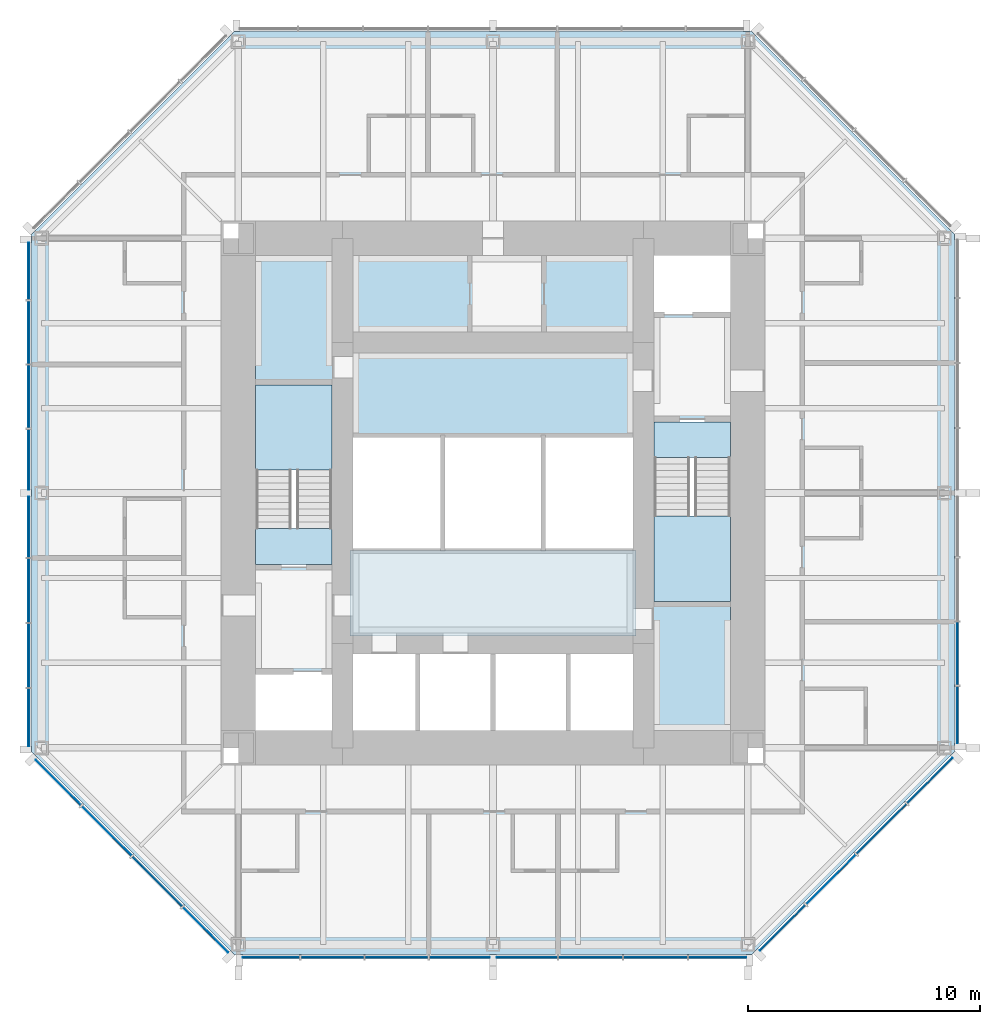
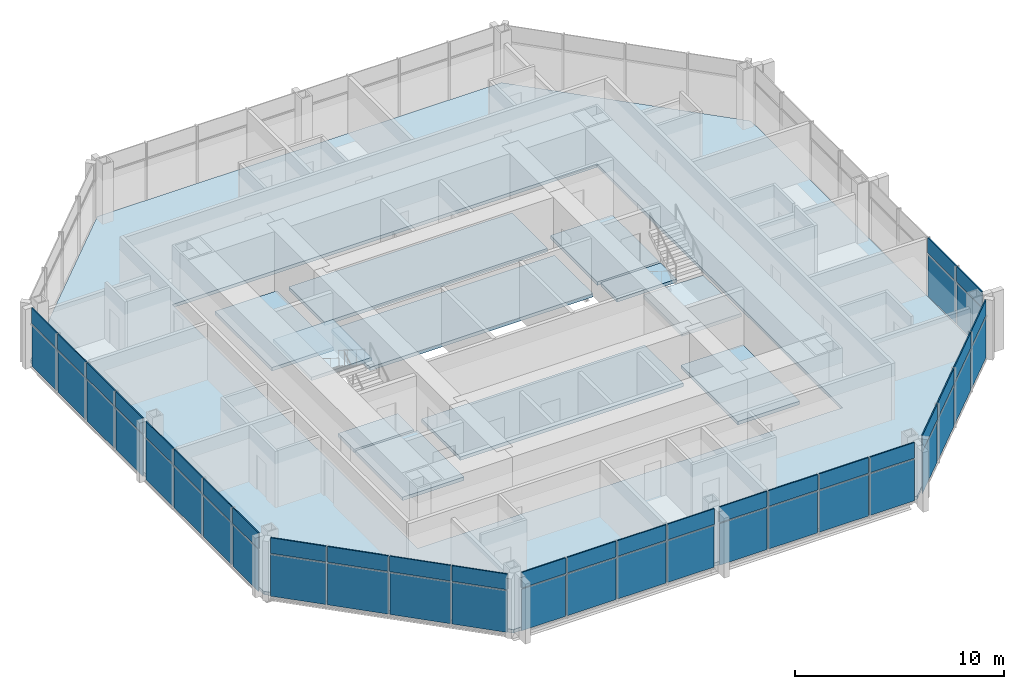
# One storey, part 6 of 11: 52 plates, 12 slabs, 7 elements without a shape of their own.
"""IFC4 building model written with IfcOpenShell, lengths in metres."""

from ifc_helpers import new_model, si_unit, direction, frame, origin, origin_2d, place, context, subcontext, project, spatial, polyline, rectangle, outline, extrude, material, layer, layer_set, type_object, element, aggregate, save


model = new_model("IFC4")

# Units and contexts
model_context = context("Model", 3, precision=1e-05, world=origin(), true_north=direction((0.0, 1.0)))
body_context = subcontext(model_context, "Body", "Model", "MODEL_VIEW")
ifc_project = project(units=[si_unit("LENGTHUNIT", "METRE"), si_unit("AREAUNIT", "SQUARE_METRE"), si_unit("VOLUMEUNIT", "CUBIC_METRE"), si_unit("PLANEANGLEUNIT", "RADIAN"), si_unit("MASSUNIT", "GRAM", prefix="KILO")], contexts=[model_context])

# Site, building, storey
site_placement = place(None, origin())
site = spatial("IfcSite", under=ifc_project, at=site_placement, CompositionType="ELEMENT")
building_placement = place(site_placement, origin())
building = spatial("IfcBuilding", under=site, at=building_placement, Name="Trevanion Tower", CompositionType="ELEMENT")
storey_placement = place(building_placement, frame((0.0, 0.0, 211.699951171875)))
storey = spatial("IfcBuildingStorey", under=building, at=storey_placement, Name="L50", CompositionType="ELEMENT", Elevation=211.699951171875)

# Curtain wall, plates
ifc_material_1 = material(Name="Aluminium and glass", Category="aluminium")
curtain_wall_type = type_object("IfcCurtainWallType", Name="CW3 curtain wall", PredefinedType="USERDEFINED", material=ifc_material_1)
curtain_wall_1_placement = place(storey_placement, origin())
curtain_wall_1 = element("IfcCurtainWall", 1, at=curtain_wall_1_placement, inside=storey, type_object=curtain_wall_type, Name="CW3 L50 0", ObjectType="UNITISED CURTAIN WALL", PredefinedType="USERDEFINED")
ifc_material_2 = material(Name="Aluminium spandrel panel", Category="aluminium")
ifc_layer_1 = layer(ifc_material_2, 0.06005859375)
ifc_layer_set_1 = layer_set([ifc_layer_1], Name="CW3 spandrel panel")
plate_type_1 = type_object("IfcPlateType", Name="CW3 spandrel panel", PredefinedType="CURTAIN_PANEL", material=ifc_layer_set_1)
plate_1_placement = place(storey_placement, frame((20.050048828125, -9.579345703125, 2.3974609375), z_axis=(0.0, 0.0, 1.0), x_axis=(0.0, 1.0, 0.0)))
plate_1 = element("IfcPlate", 2, at=plate_1_placement, type_object=plate_type_1, Name="CW3 panel 1.2", PredefinedType="CURTAIN_PANEL", context=body_context, shape_type="SweptSolid", body=[
    extrude(rectangle(XDim=2.43701171875, YDim=0.06005859375, at=origin_2d()), origin(), (0.0, 0.0, 1.0), 0.91259765625),
])
plate_2_placement = place(storey_placement, frame((20.050048828125, -6.93603515625, 2.3974609375), z_axis=(0.0, 0.0, 1.0), x_axis=(0.0, 1.0, 0.0)))
plate_2 = element("IfcPlate", 3, at=plate_2_placement, type_object=plate_type_1, Name="CW3 panel 2.2", PredefinedType="CURTAIN_PANEL", context=body_context, shape_type="SweptSolid", body=[
    extrude(rectangle(XDim=2.699462890625, YDim=0.06005859375, at=origin_2d()), origin(), (0.0, 0.0, 1.0), 0.91259765625),
])

curtain_wall_2_placement = place(storey_placement, origin())
curtain_wall_2 = element("IfcCurtainWall", 4, at=curtain_wall_2_placement, inside=storey, type_object=curtain_wall_type, Name="CW3 L50 4", ObjectType="UNITISED CURTAIN WALL", PredefinedType="USERDEFINED")
plate_3_placement = place(storey_placement, frame((-20.050048828125, 9.579345703125, 2.3974609375), z_axis=(0.0, 0.0, 1.0), x_axis=(0.0, -1.0, 0.0)))
plate_3 = element("IfcPlate", 5, at=plate_3_placement, type_object=plate_type_1, Name="CW3 panel 1.2", PredefinedType="CURTAIN_PANEL", context=body_context, shape_type="SweptSolid", body=[
    extrude(rectangle(XDim=2.43701171875, YDim=0.06005859375, at=origin_2d()), origin(), (0.0, 0.0, 1.0), 0.91259765625),
])
plate_4_placement = place(storey_placement, frame((-20.050048828125, 6.93603515625, 2.3974609375), z_axis=(0.0, 0.0, 1.0), x_axis=(0.0, -1.0, 0.0)))
plate_4 = element("IfcPlate", 6, at=plate_4_placement, type_object=plate_type_1, Name="CW3 panel 2.2", PredefinedType="CURTAIN_PANEL", context=body_context, shape_type="SweptSolid", body=[
    extrude(rectangle(XDim=2.699462890625, YDim=0.06005859375, at=origin_2d()), origin(), (0.0, 0.0, 1.0), 0.91259765625),
])
plate_5_placement = place(storey_placement, frame((-20.050048828125, 4.16162109375, 2.3974609375), z_axis=(0.0, 0.0, 1.0), x_axis=(0.0, -1.0, 0.0)))
plate_5 = element("IfcPlate", 7, at=plate_5_placement, type_object=plate_type_1, Name="CW3 panel 3.2", PredefinedType="CURTAIN_PANEL", context=body_context, shape_type="SweptSolid", body=[
    extrude(rectangle(XDim=2.699462890625, YDim=0.06005859375, at=origin_2d()), origin(), (0.0, 0.0, 1.0), 0.91259765625),
])
plate_6_placement = place(storey_placement, frame((-20.050048828125, 1.443603515625, 2.3974609375), z_axis=(0.0, 0.0, 1.0), x_axis=(0.0, -1.0, 0.0)))
plate_6 = element("IfcPlate", 8, at=plate_6_placement, type_object=plate_type_1, Name="CW3 panel 4.2", PredefinedType="CURTAIN_PANEL", context=body_context, shape_type="SweptSolid", body=[
    extrude(rectangle(XDim=2.5869140625, YDim=0.06005859375, at=origin_2d()), origin(), (0.0, 0.0, 1.0), 0.91259765625),
])
plate_7_placement = place(storey_placement, frame((-20.050048828125, -1.459716796875, 2.3974609375), z_axis=(0.0, 0.0, 1.0), x_axis=(0.0, -1.0, 0.0)))
plate_7 = element("IfcPlate", 9, at=plate_7_placement, type_object=plate_type_1, Name="CW3 panel 5.2", PredefinedType="CURTAIN_PANEL", context=body_context, shape_type="SweptSolid", body=[
    extrude(rectangle(XDim=2.619384765625, YDim=0.06005859375, at=origin_2d()), origin(), (0.0, 0.0, 1.0), 0.91259765625),
])
plate_8_placement = place(storey_placement, frame((-20.050048828125, -4.21044921875, 2.3974609375), z_axis=(0.0, 0.0, 1.0), x_axis=(0.0, -1.0, 0.0)))
plate_8 = element("IfcPlate", 10, at=plate_8_placement, type_object=plate_type_1, Name="CW3 panel 6.2", PredefinedType="CURTAIN_PANEL", context=body_context, shape_type="SweptSolid", body=[
    extrude(rectangle(XDim=2.73193359375, YDim=0.06005859375, at=origin_2d()), origin(), (0.0, 0.0, 1.0), 0.91259765625),
])
plate_9_placement = place(storey_placement, frame((-20.050048828125, -7.017333984375, 2.3974609375), z_axis=(0.0, 0.0, 1.0), x_axis=(0.0, -1.0, 0.0)))
plate_9 = element("IfcPlate", 11, at=plate_9_placement, type_object=plate_type_1, Name="CW3 panel 7.2", PredefinedType="CURTAIN_PANEL", context=body_context, shape_type="SweptSolid", body=[
    extrude(rectangle(XDim=2.73193359375, YDim=0.06005859375, at=origin_2d()), origin(), (0.0, 0.0, 1.0), 0.91259765625),
])
plate_10_placement = place(storey_placement, frame((-20.050048828125, -9.693115234375, 2.3974609375), z_axis=(0.0, 0.0, 1.0), x_axis=(0.0, -1.0, 0.0)))
plate_10 = element("IfcPlate", 12, at=plate_10_placement, type_object=plate_type_1, Name="CW3 panel 8.2", PredefinedType="CURTAIN_PANEL", context=body_context, shape_type="SweptSolid", body=[
    extrude(rectangle(XDim=2.469482421875, YDim=0.06005859375, at=origin_2d()), origin(), (0.0, 0.0, 1.0), 0.91259765625),
])

curtain_wall_3_placement = place(storey_placement, origin())
curtain_wall_3 = element("IfcCurtainWall", 13, at=curtain_wall_3_placement, inside=storey, type_object=curtain_wall_type, Name="CW3 L50 5", ObjectType="UNITISED CURTAIN WALL", PredefinedType="USERDEFINED")
plate_11_placement = place(storey_placement, frame((-18.77392578125, -12.50390625, 2.3974609375), z_axis=(0.0, 0.0, 1.0), x_axis=(0.707106781187, -0.707106781187, 0.0)))
plate_11 = element("IfcPlate", 14, at=plate_11_placement, type_object=plate_type_1, Name="CW3 panel 1.2", PredefinedType="CURTAIN_PANEL", context=body_context, shape_type="SweptSolid", body=[
    extrude(rectangle(XDim=2.7490234375, YDim=0.06005859375, at=origin_2d()), origin(), (0.0, 0.0, 1.0), 0.91259765625),
])
plate_12_placement = place(storey_placement, frame((-16.68408203125, -14.593505859375, 2.3974609375), z_axis=(0.0, 0.0, 1.0), x_axis=(0.707106781187, -0.707106781187, 0.0)))
plate_12 = element("IfcPlate", 15, at=plate_12_placement, type_object=plate_type_1, Name="CW3 panel 2.2", PredefinedType="CURTAIN_PANEL", context=body_context, shape_type="SweptSolid", body=[
    extrude(rectangle(XDim=3.01171875, YDim=0.06005859375, at=origin_2d()), origin(), (0.0, 0.0, 1.0), 0.91259765625),
])
plate_13_placement = place(storey_placement, frame((-14.501708984375, -16.776123046875, 2.3974609375), z_axis=(0.0, 0.0, 1.0), x_axis=(0.707106781187, -0.707106781187, 0.0)))
plate_13 = element("IfcPlate", 16, at=plate_13_placement, type_object=plate_type_1, Name="CW3 panel 3.2", PredefinedType="CURTAIN_PANEL", context=body_context, shape_type="SweptSolid", body=[
    extrude(rectangle(XDim=3.01171875, YDim=0.06005859375, at=origin_2d()), origin(), (0.0, 0.0, 1.0), 0.91259765625),
])
plate_14_placement = place(storey_placement, frame((-12.411865234375, -18.865966796875, 2.3974609375), z_axis=(0.0, 0.0, 1.0), x_axis=(0.707106781187, -0.707106781187, 0.0)))
plate_14 = element("IfcPlate", 17, at=plate_14_placement, type_object=plate_type_1, Name="CW3 panel 4.2", PredefinedType="CURTAIN_PANEL", context=body_context, shape_type="SweptSolid", body=[
    extrude(rectangle(XDim=2.7490234375, YDim=0.06005859375, at=origin_2d()), origin(), (0.0, 0.0, 1.0), 0.91259765625),
])

curtain_wall_4_placement = place(storey_placement, origin())
curtain_wall_4 = element("IfcCurtainWall", 18, at=curtain_wall_4_placement, inside=storey, type_object=curtain_wall_type, Name="CW3 L50 6", ObjectType="UNITISED CURTAIN WALL", PredefinedType="USERDEFINED")
plate_15_placement = place(storey_placement, frame((-9.579345703125, -20.050048828125, 2.3974609375), z_axis=(0.0, 0.0, 1.0), x_axis=(1.0, 0.0, 0.0)))
plate_15 = element("IfcPlate", 19, at=plate_15_placement, type_object=plate_type_1, Name="CW3 panel 1.2", PredefinedType="CURTAIN_PANEL", context=body_context, shape_type="SweptSolid", body=[
    extrude(rectangle(XDim=2.43701171875, YDim=0.06005859375, at=origin_2d()), origin(), (0.0, 0.0, 1.0), 0.91259765625),
])
plate_16_placement = place(storey_placement, frame((-6.93603515625, -20.050048828125, 2.3974609375), z_axis=(0.0, 0.0, 1.0), x_axis=(1.0, 0.0, 0.0)))
plate_16 = element("IfcPlate", 20, at=plate_16_placement, type_object=plate_type_1, Name="CW3 panel 2.2", PredefinedType="CURTAIN_PANEL", context=body_context, shape_type="SweptSolid", body=[
    extrude(rectangle(XDim=2.699462890625, YDim=0.06005859375, at=origin_2d()), origin(), (0.0, 0.0, 1.0), 0.91259765625),
])
plate_17_placement = place(storey_placement, frame((-4.16162109375, -20.050048828125, 2.3974609375), z_axis=(0.0, 0.0, 1.0), x_axis=(1.0, 0.0, 0.0)))
plate_17 = element("IfcPlate", 21, at=plate_17_placement, type_object=plate_type_1, Name="CW3 panel 3.2", PredefinedType="CURTAIN_PANEL", context=body_context, shape_type="SweptSolid", body=[
    extrude(rectangle(XDim=2.699462890625, YDim=0.06005859375, at=origin_2d()), origin(), (0.0, 0.0, 1.0), 0.91259765625),
])
plate_18_placement = place(storey_placement, frame((-1.443603515625, -20.050048828125, 2.3974609375), z_axis=(0.0, 0.0, 1.0), x_axis=(1.0, 0.0, 0.0)))
plate_18 = element("IfcPlate", 22, at=plate_18_placement, type_object=plate_type_1, Name="CW3 panel 4.2", PredefinedType="CURTAIN_PANEL", context=body_context, shape_type="SweptSolid", body=[
    extrude(rectangle(XDim=2.5869140625, YDim=0.06005859375, at=origin_2d()), origin(), (0.0, 0.0, 1.0), 0.91259765625),
])
plate_19_placement = place(storey_placement, frame((1.459716796875, -20.050048828125, 2.3974609375), z_axis=(0.0, 0.0, 1.0), x_axis=(1.0, 0.0, 0.0)))
plate_19 = element("IfcPlate", 23, at=plate_19_placement, type_object=plate_type_1, Name="CW3 panel 5.2", PredefinedType="CURTAIN_PANEL", context=body_context, shape_type="SweptSolid", body=[
    extrude(rectangle(XDim=2.619384765625, YDim=0.06005859375, at=origin_2d()), origin(), (0.0, 0.0, 1.0), 0.91259765625),
])
plate_20_placement = place(storey_placement, frame((4.21044921875, -20.050048828125, 2.3974609375), z_axis=(0.0, 0.0, 1.0), x_axis=(1.0, 0.0, 0.0)))
plate_20 = element("IfcPlate", 24, at=plate_20_placement, type_object=plate_type_1, Name="CW3 panel 6.2", PredefinedType="CURTAIN_PANEL", context=body_context, shape_type="SweptSolid", body=[
    extrude(rectangle(XDim=2.73193359375, YDim=0.06005859375, at=origin_2d()), origin(), (0.0, 0.0, 1.0), 0.91259765625),
])
plate_21_placement = place(storey_placement, frame((7.017333984375, -20.050048828125, 2.3974609375), z_axis=(0.0, 0.0, 1.0), x_axis=(1.0, 0.0, 0.0)))
plate_21 = element("IfcPlate", 25, at=plate_21_placement, type_object=plate_type_1, Name="CW3 panel 7.2", PredefinedType="CURTAIN_PANEL", context=body_context, shape_type="SweptSolid", body=[
    extrude(rectangle(XDim=2.73193359375, YDim=0.06005859375, at=origin_2d()), origin(), (0.0, 0.0, 1.0), 0.91259765625),
])
plate_22_placement = place(storey_placement, frame((9.693115234375, -20.050048828125, 2.3974609375), z_axis=(0.0, 0.0, 1.0), x_axis=(1.0, 0.0, 0.0)))
plate_22 = element("IfcPlate", 26, at=plate_22_placement, type_object=plate_type_1, Name="CW3 panel 8.2", PredefinedType="CURTAIN_PANEL", context=body_context, shape_type="SweptSolid", body=[
    extrude(rectangle(XDim=2.469482421875, YDim=0.06005859375, at=origin_2d()), origin(), (0.0, 0.0, 1.0), 0.91259765625),
])

curtain_wall_5_placement = place(storey_placement, origin())
curtain_wall_5 = element("IfcCurtainWall", 27, at=curtain_wall_5_placement, inside=storey, type_object=curtain_wall_type, Name="CW3 L50 7", ObjectType="UNITISED CURTAIN WALL", PredefinedType="USERDEFINED")
plate_23_placement = place(storey_placement, frame((12.50390625, -18.77392578125, 2.3974609375), z_axis=(0.0, 0.0, 1.0), x_axis=(0.707106781187, 0.707106781187, 0.0)))
plate_23 = element("IfcPlate", 28, at=plate_23_placement, type_object=plate_type_1, Name="CW3 panel 1.2", PredefinedType="CURTAIN_PANEL", context=body_context, shape_type="SweptSolid", body=[
    extrude(rectangle(XDim=2.7490234375, YDim=0.06005859375, at=origin_2d()), origin(), (0.0, 0.0, 1.0), 0.91259765625),
])
plate_24_placement = place(storey_placement, frame((14.593505859375, -16.68408203125, 2.3974609375), z_axis=(0.0, 0.0, 1.0), x_axis=(0.707106781187, 0.707106781187, 0.0)))
plate_24 = element("IfcPlate", 29, at=plate_24_placement, type_object=plate_type_1, Name="CW3 panel 2.2", PredefinedType="CURTAIN_PANEL", context=body_context, shape_type="SweptSolid", body=[
    extrude(rectangle(XDim=3.01171875, YDim=0.06005859375, at=origin_2d()), origin(), (0.0, 0.0, 1.0), 0.91259765625),
])
plate_25_placement = place(storey_placement, frame((16.776123046875, -14.501708984375, 2.3974609375), z_axis=(0.0, 0.0, 1.0), x_axis=(0.707106781187, 0.707106781187, 0.0)))
plate_25 = element("IfcPlate", 30, at=plate_25_placement, type_object=plate_type_1, Name="CW3 panel 3.2", PredefinedType="CURTAIN_PANEL", context=body_context, shape_type="SweptSolid", body=[
    extrude(rectangle(XDim=3.01171875, YDim=0.06005859375, at=origin_2d()), origin(), (0.0, 0.0, 1.0), 0.91259765625),
])
plate_26_placement = place(storey_placement, frame((18.865966796875, -12.411865234375, 2.3974609375), z_axis=(0.0, 0.0, 1.0), x_axis=(0.707106781187, 0.707106781187, 0.0)))
plate_26 = element("IfcPlate", 31, at=plate_26_placement, type_object=plate_type_1, Name="CW3 panel 4.2", PredefinedType="CURTAIN_PANEL", context=body_context, shape_type="SweptSolid", body=[
    extrude(rectangle(XDim=2.7490234375, YDim=0.06005859375, at=origin_2d()), origin(), (0.0, 0.0, 1.0), 0.91259765625),
])

# Plate
ifc_material_3 = material(Name="Insulating glass unit", Category="glass")
ifc_layer_2 = layer(ifc_material_3, 0.028076171875)
ifc_layer_set_2 = layer_set([ifc_layer_2], Name="CW3 vision panel")
plate_type_2 = type_object("IfcPlateType", Name="CW3 vision panel", PredefinedType="CURTAIN_PANEL", material=ifc_layer_set_2)
plate_27_placement = place(storey_placement, frame((20.050048828125, -9.579345703125, -0.114990234375), z_axis=(0.0, 0.0, 1.0), x_axis=(0.0, 1.0, 0.0)))
plate_27 = element("IfcPlate", 32, at=plate_27_placement, type_object=plate_type_2, Name="CW3 panel 1.1", PredefinedType="CURTAIN_PANEL", context=body_context, shape_type="SweptSolid", body=[
    extrude(rectangle(XDim=2.43701171875, YDim=0.028076171875, at=origin_2d()), origin(), (0.0, 0.0, 1.0), 2.4375),
])

plate_28_placement = place(storey_placement, frame((20.050048828125, -6.93603515625, -0.114990234375), z_axis=(0.0, 0.0, 1.0), x_axis=(0.0, 1.0, 0.0)))
plate_28 = element("IfcPlate", 33, at=plate_28_placement, type_object=plate_type_2, Name="CW3 panel 2.1", PredefinedType="CURTAIN_PANEL", context=body_context, shape_type="SweptSolid", body=[
    extrude(rectangle(XDim=2.699462890625, YDim=0.028076171875, at=origin_2d()), origin(), (0.0, 0.0, 1.0), 2.4375),
])

aggregate(curtain_wall_1, [plate_27, plate_1, plate_28, plate_2])

plate_29_placement = place(storey_placement, frame((-20.050048828125, 9.579345703125, -0.114990234375), z_axis=(0.0, 0.0, 1.0), x_axis=(0.0, -1.0, 0.0)))
plate_29 = element("IfcPlate", 34, at=plate_29_placement, type_object=plate_type_2, Name="CW3 panel 1.1", PredefinedType="CURTAIN_PANEL", context=body_context, shape_type="SweptSolid", body=[
    extrude(rectangle(XDim=2.43701171875, YDim=0.028076171875, at=origin_2d()), origin(), (0.0, 0.0, 1.0), 2.4375),
])

plate_30_placement = place(storey_placement, frame((-20.050048828125, 6.93603515625, -0.114990234375), z_axis=(0.0, 0.0, 1.0), x_axis=(0.0, -1.0, 0.0)))
plate_30 = element("IfcPlate", 35, at=plate_30_placement, type_object=plate_type_2, Name="CW3 panel 2.1", PredefinedType="CURTAIN_PANEL", context=body_context, shape_type="SweptSolid", body=[
    extrude(rectangle(XDim=2.699462890625, YDim=0.028076171875, at=origin_2d()), origin(), (0.0, 0.0, 1.0), 2.4375),
])

plate_31_placement = place(storey_placement, frame((-20.050048828125, 4.16162109375, -0.114990234375), z_axis=(0.0, 0.0, 1.0), x_axis=(0.0, -1.0, 0.0)))
plate_31 = element("IfcPlate", 36, at=plate_31_placement, type_object=plate_type_2, Name="CW3 panel 3.1", PredefinedType="CURTAIN_PANEL", context=body_context, shape_type="SweptSolid", body=[
    extrude(rectangle(XDim=2.699462890625, YDim=0.028076171875, at=origin_2d()), origin(), (0.0, 0.0, 1.0), 2.4375),
])

plate_32_placement = place(storey_placement, frame((-20.050048828125, 1.443603515625, -0.114990234375), z_axis=(0.0, 0.0, 1.0), x_axis=(0.0, -1.0, 0.0)))
plate_32 = element("IfcPlate", 37, at=plate_32_placement, type_object=plate_type_2, Name="CW3 panel 4.1", PredefinedType="CURTAIN_PANEL", context=body_context, shape_type="SweptSolid", body=[
    extrude(rectangle(XDim=2.5869140625, YDim=0.028076171875, at=origin_2d()), origin(), (0.0, 0.0, 1.0), 2.4375),
])

plate_33_placement = place(storey_placement, frame((-20.050048828125, -1.459716796875, -0.114990234375), z_axis=(0.0, 0.0, 1.0), x_axis=(0.0, -1.0, 0.0)))
plate_33 = element("IfcPlate", 38, at=plate_33_placement, type_object=plate_type_2, Name="CW3 panel 5.1", PredefinedType="CURTAIN_PANEL", context=body_context, shape_type="SweptSolid", body=[
    extrude(rectangle(XDim=2.619384765625, YDim=0.028076171875, at=origin_2d()), origin(), (0.0, 0.0, 1.0), 2.4375),
])

plate_34_placement = place(storey_placement, frame((-20.050048828125, -4.21044921875, -0.114990234375), z_axis=(0.0, 0.0, 1.0), x_axis=(0.0, -1.0, 0.0)))
plate_34 = element("IfcPlate", 39, at=plate_34_placement, type_object=plate_type_2, Name="CW3 panel 6.1", PredefinedType="CURTAIN_PANEL", context=body_context, shape_type="SweptSolid", body=[
    extrude(rectangle(XDim=2.73193359375, YDim=0.028076171875, at=origin_2d()), origin(), (0.0, 0.0, 1.0), 2.4375),
])

plate_35_placement = place(storey_placement, frame((-20.050048828125, -7.017333984375, -0.114990234375), z_axis=(0.0, 0.0, 1.0), x_axis=(0.0, -1.0, 0.0)))
plate_35 = element("IfcPlate", 40, at=plate_35_placement, type_object=plate_type_2, Name="CW3 panel 7.1", PredefinedType="CURTAIN_PANEL", context=body_context, shape_type="SweptSolid", body=[
    extrude(rectangle(XDim=2.73193359375, YDim=0.028076171875, at=origin_2d()), origin(), (0.0, 0.0, 1.0), 2.4375),
])

plate_36_placement = place(storey_placement, frame((-20.050048828125, -9.693115234375, -0.114990234375), z_axis=(0.0, 0.0, 1.0), x_axis=(0.0, -1.0, 0.0)))
plate_36 = element("IfcPlate", 41, at=plate_36_placement, type_object=plate_type_2, Name="CW3 panel 8.1", PredefinedType="CURTAIN_PANEL", context=body_context, shape_type="SweptSolid", body=[
    extrude(rectangle(XDim=2.469482421875, YDim=0.028076171875, at=origin_2d()), origin(), (0.0, 0.0, 1.0), 2.4375),
])

aggregate(curtain_wall_2, [plate_29, plate_3, plate_30, plate_4, plate_31, plate_5, plate_32, plate_6, plate_33, plate_7, plate_34, plate_8, plate_35, plate_9, plate_36, plate_10])

plate_37_placement = place(storey_placement, frame((-18.77392578125, -12.50390625, -0.114990234375), z_axis=(0.0, 0.0, 1.0), x_axis=(0.707106781187, -0.707106781187, 0.0)))
plate_37 = element("IfcPlate", 42, at=plate_37_placement, type_object=plate_type_2, Name="CW3 panel 1.1", PredefinedType="CURTAIN_PANEL", context=body_context, shape_type="SweptSolid", body=[
    extrude(rectangle(XDim=2.7490234375, YDim=0.028076171875, at=origin_2d()), origin(), (0.0, 0.0, 1.0), 2.4375),
])

plate_38_placement = place(storey_placement, frame((-16.68408203125, -14.593505859375, -0.114990234375), z_axis=(0.0, 0.0, 1.0), x_axis=(0.707106781187, -0.707106781187, 0.0)))
plate_38 = element("IfcPlate", 43, at=plate_38_placement, type_object=plate_type_2, Name="CW3 panel 2.1", PredefinedType="CURTAIN_PANEL", context=body_context, shape_type="SweptSolid", body=[
    extrude(rectangle(XDim=3.01171875, YDim=0.028076171875, at=origin_2d()), origin(), (0.0, 0.0, 1.0), 2.4375),
])

plate_39_placement = place(storey_placement, frame((-14.501708984375, -16.776123046875, -0.114990234375), z_axis=(0.0, 0.0, 1.0), x_axis=(0.707106781187, -0.707106781187, 0.0)))
plate_39 = element("IfcPlate", 44, at=plate_39_placement, type_object=plate_type_2, Name="CW3 panel 3.1", PredefinedType="CURTAIN_PANEL", context=body_context, shape_type="SweptSolid", body=[
    extrude(rectangle(XDim=3.01171875, YDim=0.028076171875, at=origin_2d()), origin(), (0.0, 0.0, 1.0), 2.4375),
])

plate_40_placement = place(storey_placement, frame((-12.411865234375, -18.865966796875, -0.114990234375), z_axis=(0.0, 0.0, 1.0), x_axis=(0.707106781187, -0.707106781187, 0.0)))
plate_40 = element("IfcPlate", 45, at=plate_40_placement, type_object=plate_type_2, Name="CW3 panel 4.1", PredefinedType="CURTAIN_PANEL", context=body_context, shape_type="SweptSolid", body=[
    extrude(rectangle(XDim=2.7490234375, YDim=0.028076171875, at=origin_2d()), origin(), (0.0, 0.0, 1.0), 2.4375),
])

aggregate(curtain_wall_3, [plate_37, plate_11, plate_38, plate_12, plate_39, plate_13, plate_40, plate_14])

plate_41_placement = place(storey_placement, frame((-9.579345703125, -20.050048828125, -0.114990234375), z_axis=(0.0, 0.0, 1.0), x_axis=(1.0, 0.0, 0.0)))
plate_41 = element("IfcPlate", 46, at=plate_41_placement, type_object=plate_type_2, Name="CW3 panel 1.1", PredefinedType="CURTAIN_PANEL", context=body_context, shape_type="SweptSolid", body=[
    extrude(rectangle(XDim=2.43701171875, YDim=0.028076171875, at=origin_2d()), origin(), (0.0, 0.0, 1.0), 2.4375),
])

plate_42_placement = place(storey_placement, frame((-6.93603515625, -20.050048828125, -0.114990234375), z_axis=(0.0, 0.0, 1.0), x_axis=(1.0, 0.0, 0.0)))
plate_42 = element("IfcPlate", 47, at=plate_42_placement, type_object=plate_type_2, Name="CW3 panel 2.1", PredefinedType="CURTAIN_PANEL", context=body_context, shape_type="SweptSolid", body=[
    extrude(rectangle(XDim=2.699462890625, YDim=0.028076171875, at=origin_2d()), origin(), (0.0, 0.0, 1.0), 2.4375),
])

plate_43_placement = place(storey_placement, frame((-4.16162109375, -20.050048828125, -0.114990234375), z_axis=(0.0, 0.0, 1.0), x_axis=(1.0, 0.0, 0.0)))
plate_43 = element("IfcPlate", 48, at=plate_43_placement, type_object=plate_type_2, Name="CW3 panel 3.1", PredefinedType="CURTAIN_PANEL", context=body_context, shape_type="SweptSolid", body=[
    extrude(rectangle(XDim=2.699462890625, YDim=0.028076171875, at=origin_2d()), origin(), (0.0, 0.0, 1.0), 2.4375),
])

plate_44_placement = place(storey_placement, frame((-1.443603515625, -20.050048828125, -0.114990234375), z_axis=(0.0, 0.0, 1.0), x_axis=(1.0, 0.0, 0.0)))
plate_44 = element("IfcPlate", 49, at=plate_44_placement, type_object=plate_type_2, Name="CW3 panel 4.1", PredefinedType="CURTAIN_PANEL", context=body_context, shape_type="SweptSolid", body=[
    extrude(rectangle(XDim=2.5869140625, YDim=0.028076171875, at=origin_2d()), origin(), (0.0, 0.0, 1.0), 2.4375),
])

plate_45_placement = place(storey_placement, frame((1.459716796875, -20.050048828125, -0.114990234375), z_axis=(0.0, 0.0, 1.0), x_axis=(1.0, 0.0, 0.0)))
plate_45 = element("IfcPlate", 50, at=plate_45_placement, type_object=plate_type_2, Name="CW3 panel 5.1", PredefinedType="CURTAIN_PANEL", context=body_context, shape_type="SweptSolid", body=[
    extrude(rectangle(XDim=2.619384765625, YDim=0.028076171875, at=origin_2d()), origin(), (0.0, 0.0, 1.0), 2.4375),
])

plate_46_placement = place(storey_placement, frame((4.21044921875, -20.050048828125, -0.114990234375), z_axis=(0.0, 0.0, 1.0), x_axis=(1.0, 0.0, 0.0)))
plate_46 = element("IfcPlate", 51, at=plate_46_placement, type_object=plate_type_2, Name="CW3 panel 6.1", PredefinedType="CURTAIN_PANEL", context=body_context, shape_type="SweptSolid", body=[
    extrude(rectangle(XDim=2.73193359375, YDim=0.028076171875, at=origin_2d()), origin(), (0.0, 0.0, 1.0), 2.4375),
])

plate_47_placement = place(storey_placement, frame((7.017333984375, -20.050048828125, -0.114990234375), z_axis=(0.0, 0.0, 1.0), x_axis=(1.0, 0.0, 0.0)))
plate_47 = element("IfcPlate", 52, at=plate_47_placement, type_object=plate_type_2, Name="CW3 panel 7.1", PredefinedType="CURTAIN_PANEL", context=body_context, shape_type="SweptSolid", body=[
    extrude(rectangle(XDim=2.73193359375, YDim=0.028076171875, at=origin_2d()), origin(), (0.0, 0.0, 1.0), 2.4375),
])

plate_48_placement = place(storey_placement, frame((9.693115234375, -20.050048828125, -0.114990234375), z_axis=(0.0, 0.0, 1.0), x_axis=(1.0, 0.0, 0.0)))
plate_48 = element("IfcPlate", 53, at=plate_48_placement, type_object=plate_type_2, Name="CW3 panel 8.1", PredefinedType="CURTAIN_PANEL", context=body_context, shape_type="SweptSolid", body=[
    extrude(rectangle(XDim=2.469482421875, YDim=0.028076171875, at=origin_2d()), origin(), (0.0, 0.0, 1.0), 2.4375),
])

aggregate(curtain_wall_4, [plate_41, plate_15, plate_42, plate_16, plate_43, plate_17, plate_44, plate_18, plate_45, plate_19, plate_46, plate_20, plate_47, plate_21, plate_48, plate_22])

plate_49_placement = place(storey_placement, frame((12.50390625, -18.77392578125, -0.114990234375), z_axis=(0.0, 0.0, 1.0), x_axis=(0.707106781187, 0.707106781187, 0.0)))
plate_49 = element("IfcPlate", 54, at=plate_49_placement, type_object=plate_type_2, Name="CW3 panel 1.1", PredefinedType="CURTAIN_PANEL", context=body_context, shape_type="SweptSolid", body=[
    extrude(rectangle(XDim=2.7490234375, YDim=0.028076171875, at=origin_2d()), origin(), (0.0, 0.0, 1.0), 2.4375),
])

plate_50_placement = place(storey_placement, frame((14.593505859375, -16.68408203125, -0.114990234375), z_axis=(0.0, 0.0, 1.0), x_axis=(0.707106781187, 0.707106781187, 0.0)))
plate_50 = element("IfcPlate", 55, at=plate_50_placement, type_object=plate_type_2, Name="CW3 panel 2.1", PredefinedType="CURTAIN_PANEL", context=body_context, shape_type="SweptSolid", body=[
    extrude(rectangle(XDim=3.01171875, YDim=0.028076171875, at=origin_2d()), origin(), (0.0, 0.0, 1.0), 2.4375),
])

plate_51_placement = place(storey_placement, frame((16.776123046875, -14.501708984375, -0.114990234375), z_axis=(0.0, 0.0, 1.0), x_axis=(0.707106781187, 0.707106781187, 0.0)))
plate_51 = element("IfcPlate", 56, at=plate_51_placement, type_object=plate_type_2, Name="CW3 panel 3.1", PredefinedType="CURTAIN_PANEL", context=body_context, shape_type="SweptSolid", body=[
    extrude(rectangle(XDim=3.01171875, YDim=0.028076171875, at=origin_2d()), origin(), (0.0, 0.0, 1.0), 2.4375),
])

plate_52_placement = place(storey_placement, frame((18.865966796875, -12.411865234375, -0.114990234375), z_axis=(0.0, 0.0, 1.0), x_axis=(0.707106781187, 0.707106781187, 0.0)))
plate_52 = element("IfcPlate", 57, at=plate_52_placement, type_object=plate_type_2, Name="CW3 panel 4.1", PredefinedType="CURTAIN_PANEL", context=body_context, shape_type="SweptSolid", body=[
    extrude(rectangle(XDim=2.7490234375, YDim=0.028076171875, at=origin_2d()), origin(), (0.0, 0.0, 1.0), 2.4375),
])

aggregate(curtain_wall_5, [plate_49, plate_23, plate_50, plate_24, plate_51, plate_25, plate_52, plate_26])

# Slabs
ifc_material_4 = material(Name="Concrete 5,000 psi on composite metal deck", Category="concrete")
ifc_layer_3 = layer(ifc_material_4, 0.18994140625)
ifc_layer_set_3 = layer_set([ifc_layer_3], Name="SL1 composite floor 190")
slab_type_1 = type_object("IfcSlabType", Name="SL1 composite floor 190", PredefinedType="FLOOR", material=ifc_layer_set_3)
slab_1_placement = place(storey_placement, frame((0.0, 0.0, -0.18994140625)))
element("IfcSlab", 58, at=slab_1_placement, inside=storey, type_object=slab_type_1, Name="SL1 L50 floor", PredefinedType="FLOOR", context=body_context, shape_type="SweptSolid", body=[
    extrude(outline(polyline([(19.919921875, -11.174072265625), (19.919921875, 11.174072265625), (11.174072265625, 19.919921875), (-11.174072265625, 19.919921875), (-19.919921875, 11.174072265625), (-19.919921875, -11.174072265625), (-11.174072265625, -19.919921875), (11.174072265625, -19.919921875), (19.919921875, -11.174072265625)]), holes=[polyline([(11.75, -11.75), (11.75, 11.75), (-11.75, 11.75), (-11.75, -11.75), (11.75, -11.75)])]), origin(), (0.0, 0.0, 1.0), 0.18994140625),
])
ifc_material_5 = material(Name="Concrete 5,000 psi", Category="concrete")
ifc_layer_4 = layer(ifc_material_5, 0.199951171875)
ifc_layer_set_4 = layer_set([ifc_layer_4], Name="SL2 core floor 200")
slab_type_2 = type_object("IfcSlabType", Name="SL2 core floor 200", PredefinedType="FLOOR", material=ifc_layer_set_4)
slab_2_placement = place(storey_placement, frame((0.0, 0.0, -0.199951171875)))
element("IfcSlab", 59, at=slab_2_placement, inside=storey, type_object=slab_type_2, Name="SL2 L50 core floor 1", PredefinedType="FLOOR", context=body_context, shape_type="SweptSolid", body=[
    extrude(outline(polyline([(10.25, -4.804931640625), (10.25, -10.25), (6.830078125, -10.25), (6.830078125, -4.804931640625), (10.25, -4.804931640625)])), origin(), (0.0, 0.0, 1.0), 0.199951171875),
])
slab_3_placement = place(storey_placement, frame((0.0, 0.0, -0.199951171875)))
element("IfcSlab", 60, at=slab_3_placement, inside=storey, type_object=slab_type_2, Name="SL2 L50 core floor 2", PredefinedType="FLOOR", context=body_context, shape_type="SweptSolid", body=[
    extrude(outline(polyline([(-6.830078125, -3.205078125), (-6.830078125, -7.695068359375), (-10.25, -7.695068359375), (-10.25, -3.205078125), (-6.830078125, -3.205078125)])), origin(), (0.0, 0.0, 1.0), 0.199951171875),
])
slab_4_placement = place(storey_placement, frame((0.0, 0.0, -0.199951171875)))
element("IfcSlab", 61, at=slab_4_placement, inside=storey, type_object=slab_type_2, Name="SL2 L50 core floor 3", PredefinedType="FLOOR", context=body_context, shape_type="SweptSolid", body=[
    extrude(outline(polyline([(6.169921875, -6.169921875), (-6.169921875, -6.169921875), (-6.169921875, -2.47998046875), (6.169921875, -2.47998046875), (6.169921875, -6.169921875)])), origin(), (0.0, 0.0, 1.0), 0.199951171875),
])
slab_5_placement = place(storey_placement, frame((0.0, 0.0, -0.199951171875)))
element("IfcSlab", 62, at=slab_5_placement, inside=storey, type_object=slab_type_2, Name="SL2 L50 core floor 4", PredefinedType="FLOOR", context=body_context, shape_type="SweptSolid", body=[
    extrude(outline(polyline([(6.169921875, 2.47998046875), (-6.169921875, 2.47998046875), (-6.169921875, 6.169921875), (6.169921875, 6.169921875), (6.169921875, 2.47998046875)])), origin(), (0.0, 0.0, 1.0), 0.199951171875),
])
slab_6_placement = place(storey_placement, frame((0.0, 0.0, -0.199951171875)))
element("IfcSlab", 63, at=slab_6_placement, inside=storey, type_object=slab_type_2, Name="SL2 L50 core floor 5", PredefinedType="FLOOR", context=body_context, shape_type="SweptSolid", body=[
    extrude(outline(polyline([(6.830078125, 3.205078125), (6.830078125, 7.695068359375), (10.25, 7.695068359375), (10.25, 3.205078125), (6.830078125, 3.205078125)])), origin(), (0.0, 0.0, 1.0), 0.199951171875),
])
slab_7_placement = place(storey_placement, frame((0.0, 0.0, -0.199951171875)))
element("IfcSlab", 64, at=slab_7_placement, inside=storey, type_object=slab_type_2, Name="SL2 L50 core floor 6", PredefinedType="FLOOR", context=body_context, shape_type="SweptSolid", body=[
    extrude(outline(polyline([(-6.830078125, 4.804931640625), (-10.25, 4.804931640625), (-10.25, 10.25), (-6.830078125, 10.25), (-6.830078125, 4.804931640625)])), origin(), (0.0, 0.0, 1.0), 0.199951171875),
])
slab_8_placement = place(storey_placement, frame((0.0, 0.0, -0.199951171875)))
element("IfcSlab", 65, at=slab_8_placement, inside=storey, type_object=slab_type_2, Name="SL2 L50 core floor 7", PredefinedType="FLOOR", context=body_context, shape_type="SweptSolid", body=[
    extrude(outline(polyline([(6.169921875, 6.830078125), (-6.169921875, 6.830078125), (-6.169921875, 10.25), (6.169921875, 10.25), (6.169921875, 6.830078125)])), origin(), (0.0, 0.0, 1.0), 0.199951171875),
])

# Stair, slabs
ifc_material_6 = material(Name="Concrete 5,000 psi on steel stringers", Category="concrete")
stair_type = type_object("IfcStairType", Name="ST stair", PredefinedType="HALF_TURN_STAIR", material=ifc_material_6)
stair_1_placement = place(storey_placement, origin())
stair_1 = element("IfcStair", 66, at=stair_1_placement, inside=storey, type_object=stair_type, Name="ST1 L50", PredefinedType="HALF_TURN_STAIR")
ifc_material_7 = material(Name="Concrete 5,000 psi in steel pan", Category="concrete")
ifc_layer_5 = layer(ifc_material_7, 0.199951171875)
ifc_layer_set_5 = layer_set([ifc_layer_5], Name="STL stair landing 200")
slab_type_3 = type_object("IfcSlabType", Name="STL stair landing 200", PredefinedType="LANDING", material=ifc_layer_set_5)
slab_9_placement = place(storey_placement, frame((0.0, 0.0, -0.199951171875)))
slab_9 = element("IfcSlab", 67, at=slab_9_placement, type_object=slab_type_3, Name="ST1 landing 1", PredefinedType="LANDING", context=body_context, shape_type="SweptSolid", body=[
    extrude(outline(polyline([(6.949951171875, 1.52490234375), (10.25, 1.52490234375), (10.25, 3.074951171875), (6.949951171875, 3.074951171875), (6.949951171875, 1.52490234375)])), origin(), (0.0, 0.0, 1.0), 0.199951171875),
])
slab_10_placement = place(storey_placement, frame((0.0, 0.0, 1.550048828125)))
slab_10 = element("IfcSlab", 68, at=slab_10_placement, type_object=slab_type_3, Name="ST1 landing 2", PredefinedType="LANDING", context=body_context, shape_type="SweptSolid", body=[
    extrude(outline(polyline([(6.949951171875, -4.675048828125), (10.25, -4.675048828125), (10.25, -0.9951171875), (6.949951171875, -0.9951171875), (6.949951171875, -4.675048828125)])), origin(), (0.0, 0.0, 1.0), 0.199951171875),
])
aggregate(stair_1, [slab_9, slab_10])

stair_2_placement = place(storey_placement, origin())
stair_2 = element("IfcStair", 69, at=stair_2_placement, inside=storey, type_object=stair_type, Name="ST2 L50", PredefinedType="HALF_TURN_STAIR")
slab_11_placement = place(storey_placement, frame((0.0, 0.0, -0.199951171875)))
slab_11 = element("IfcSlab", 70, at=slab_11_placement, type_object=slab_type_3, Name="ST2 landing 1", PredefinedType="LANDING", context=body_context, shape_type="SweptSolid", body=[
    extrude(outline(polyline([(-6.949951171875, -1.52490234375), (-10.25, -1.52490234375), (-10.25, -3.074951171875), (-6.949951171875, -3.074951171875), (-6.949951171875, -1.52490234375)])), origin(), (0.0, 0.0, 1.0), 0.199951171875),
])
slab_12_placement = place(storey_placement, frame((0.0, 0.0, 1.550048828125)))
slab_12 = element("IfcSlab", 71, at=slab_12_placement, type_object=slab_type_3, Name="ST2 landing 2", PredefinedType="LANDING", context=body_context, shape_type="SweptSolid", body=[
    extrude(outline(polyline([(-6.949951171875, 4.675048828125), (-10.25, 4.675048828125), (-10.25, 0.9951171875), (-6.949951171875, 0.9951171875), (-6.949951171875, 4.675048828125)])), origin(), (0.0, 0.0, 1.0), 0.199951171875),
])
aggregate(stair_2, [slab_11, slab_12])

save(model, "model.ifc")
